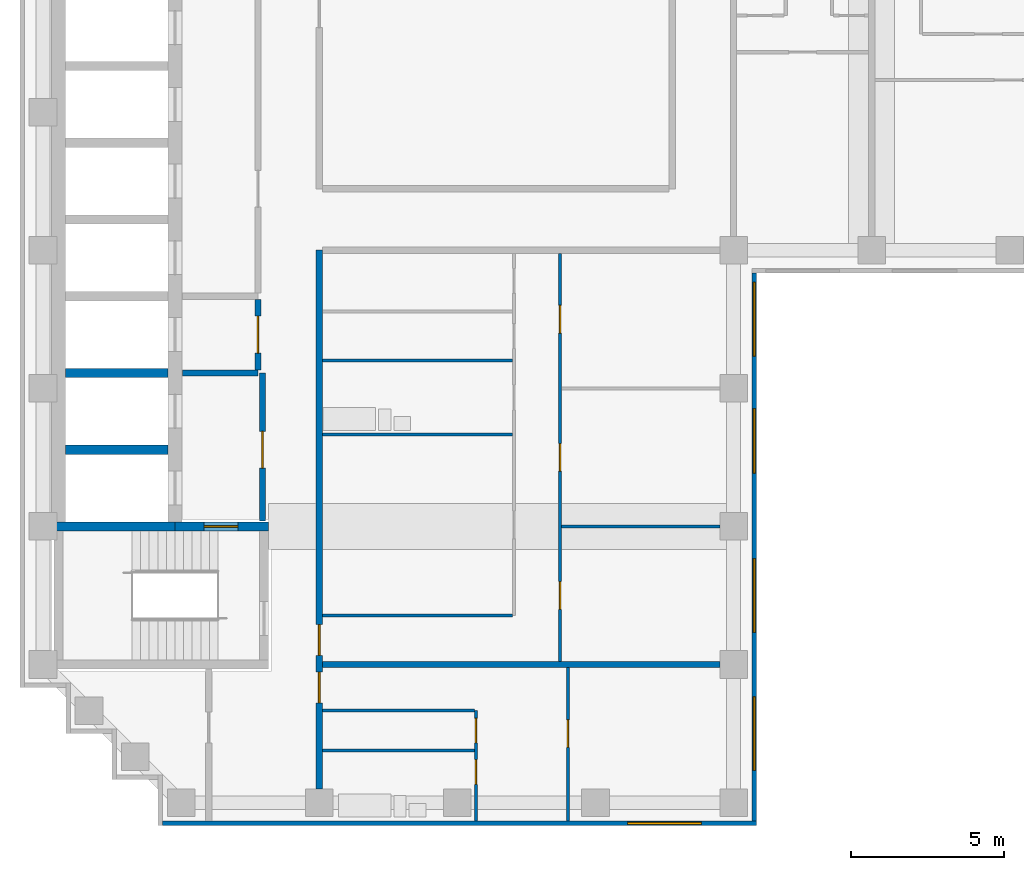
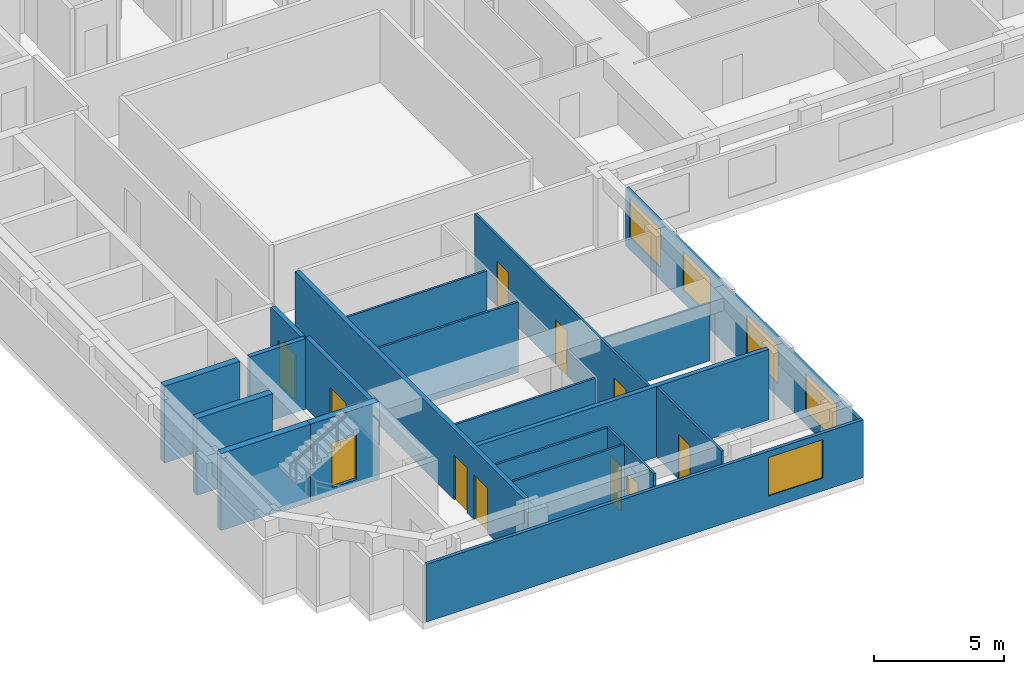
# One storey, part 2 of 9: 20 walls, 11 doors, 5 windows, 16 openings.
"""IFC4 building model written with IfcOpenShell, lengths in metres."""

import ifcopenshell
import ifcopenshell.guid

model = None  # the IFC model being written
_history = None  # IfcOwnerHistory: only IFC2X3 demands one
_inside = {}  # id of a spatial element -> (the spatial element, [elements in it])
_under = {}  # id of a project, library or spatial element -> (it, [spatial elements below it])
_declared = {}  # id of a project -> (the project, [libraries it declares])
_typed = {}  # id of a type object -> (the type object, [elements of that type])
_made_of = {}  # id of a material, layer set ... -> (it, [elements and type objects made of it])


def new_model(schema):
    """Start an empty IFC model of exactly this schema.

    Asked for "IFC4X3", IfcOpenShell would pick the latest addendum, in which some entities
    have other attributes; the version numbers below select the first issue.
    IFC2X3 requires an IfcOwnerHistory on every rooted entity: one is made here for all.
    """
    global model, _history
    if schema == "IFC4X3":
        model = ifcopenshell.file(schema_version=(4, 3, 0, 0))
    else:
        model = ifcopenshell.file(schema=schema)
    _inside.clear()
    _under.clear()
    _declared.clear()
    _typed.clear()
    _made_of.clear()
    _history = None
    if model.schema == "IFC2X3":
        org = make("IfcOrganization", Name="unknown")
        user = make(
            "IfcPersonAndOrganization",
            ThePerson=make("IfcPerson", FamilyName="unknown"),
            TheOrganization=org,
        )
        app = make(
            "IfcApplication",
            ApplicationDeveloper=org,
            Version="unknown",
            ApplicationFullName="unknown",
            ApplicationIdentifier="unknown",
        )
        _history = make(
            "IfcOwnerHistory",
            OwningUser=user,
            OwningApplication=app,
            ChangeAction="ADDED",
            CreationDate=0,
        )
    return model


def make(cls, **values):
    """One entity of the class cls with the attributes given. An attribute that is None is left unset."""
    return model.create_entity(
        cls, **{name: value for name, value in values.items() if value is not None}
    )


def rooted(cls, **values):
    """An entity with a GlobalId (a new one), such as an element, a storey or a relation."""
    return make(cls, GlobalId=ifcopenshell.guid.new(), OwnerHistory=_history, **values)


def si_unit(unit_type, name, prefix=None):
    """IfcSIUnit, for example si_unit("LENGTHUNIT", "METRE", prefix="MILLI")."""
    return make("IfcSIUnit", UnitType=unit_type, Prefix=prefix, Name=name)


def assignment(units):
    """IfcUnitAssignment: the units of a project."""
    return None if units is None else make("IfcUnitAssignment", Units=units)


def point(xyz):
    """IfcCartesianPoint."""
    return None if xyz is None else make("IfcCartesianPoint", Coordinates=xyz)


def direction(xyz):
    """IfcDirection."""
    return None if xyz is None else make("IfcDirection", DirectionRatios=xyz)


def frame(location, z_axis=None, x_axis=None):
    """IfcAxis2Placement3D, a coordinate frame: its origin and axes. An axis left out is left unset."""
    return make(
        "IfcAxis2Placement3D",
        Location=point(location),
        Axis=direction(z_axis),
        RefDirection=direction(x_axis),
    )


def frame_2d(location, x_axis=None):
    """IfcAxis2Placement2D, a coordinate frame in the plane: its origin and x axis."""
    return make(
        "IfcAxis2Placement2D", Location=point(location), RefDirection=direction(x_axis)
    )


def origin():
    """The frame at (0, 0, 0) with its axes left unset."""
    return frame((0.0, 0.0, 0.0))


def place(relative_to, where):
    """IfcLocalPlacement: puts the frame where relative to a parent placement (None: the world)."""
    return make(
        "IfcLocalPlacement", PlacementRelTo=relative_to, RelativePlacement=where
    )


def context(
    kind, dimensions, precision=None, world=None, true_north=None, identifier=None
):
    """IfcGeometricRepresentationContext, for example the 3D "Model" context."""
    return make(
        "IfcGeometricRepresentationContext",
        ContextIdentifier=identifier,
        ContextType=kind,
        CoordinateSpaceDimension=dimensions,
        Precision=precision,
        WorldCoordinateSystem=world,
        TrueNorth=true_north,
    )


def subcontext(parent, identifier, kind, view, scale=None):
    """IfcGeometricRepresentationSubContext, for example "Body" below "Model"."""
    return make(
        "IfcGeometricRepresentationSubContext",
        ContextIdentifier=identifier,
        ContextType=kind,
        ParentContext=parent,
        TargetScale=scale,
        TargetView=view,
    )


def project(units=None, contexts=None):
    """IfcProject with its units and contexts."""
    return rooted(
        "IfcProject",
        Name="project",
        RepresentationContexts=contexts,
        UnitsInContext=assignment(units),
    )


def spatial(cls, under=None, at=None, **own):
    """A site, building, storey or space (cls), placed at a placement, below another one or the project."""
    s = rooted(cls, ObjectPlacement=at, **own)
    if under is not None:
        _under.setdefault(under.id(), (under, []))[1].append(s)
    return s


def profile(cls, at=None, kind="AREA", **sizes):
    """A parametric profile (cls). Its sizes go by their IFC names, for example OverallWidth=200.0."""
    return make(cls, ProfileType=kind, Position=at, **sizes)


def rectangle(**sizes):
    """IfcRectangleProfileDef."""
    return profile("IfcRectangleProfileDef", **sizes)


def extrude(swept, where, along, depth):
    """IfcExtrudedAreaSolid: the profile swept, set in the frame where, extruded along a direction by depth."""
    return make(
        "IfcExtrudedAreaSolid",
        SweptArea=swept,
        Position=where,
        ExtrudedDirection=direction(along),
        Depth=depth,
    )


def shape(context_of_items, identifier, shape_type, items):
    """IfcShapeRepresentation: the items that make up one representation, for example the "Body"."""
    return make(
        "IfcShapeRepresentation",
        ContextOfItems=context_of_items,
        RepresentationIdentifier=identifier,
        RepresentationType=shape_type,
        Items=items,
    )


def material(Name=None, Category=None):
    """IfcMaterial."""
    return make("IfcMaterial", Name=Name, Category=Category)


def layer(
    of_material, thickness, ventilated=None, Name=None, Category=None, Priority=None
):
    """IfcMaterialLayer: one layer of a wall or slab, of a material (None: an air gap)."""
    return make(
        "IfcMaterialLayer",
        Material=of_material,
        LayerThickness=thickness,
        IsVentilated=ventilated,
        Name=Name,
        Category=Category,
        Priority=Priority,
    )


def layer_set(layers, Name=None):
    """IfcMaterialLayerSet."""
    return make("IfcMaterialLayerSet", MaterialLayers=layers, LayerSetName=Name)


def made_of(thing, what):
    """Note that an element or type object is made of a material, layer set ...; save() writes the relation."""
    if what is not None:
        _made_of.setdefault(what.id(), (what, []))[1].append(thing)
    return thing


def type_object(cls, material=None, **own):
    """A type object (cls), such as IfcWallType, which elements share."""
    return made_of(rooted(cls, **own), material)


def element(
    cls,
    number,
    at=None,
    inside=None,
    cuts=None,
    type_object=None,
    material=None,
    context=None,
    identifier="Body",
    shape_type=None,
    held_by="IfcProductDefinitionShape",
    body=None,
    shapes=None,
    **own,
):
    """One element of the class cls, such as IfcWall. Its Tag is "e" and its number.

    at: its placement. inside: the storey or other place that contains it. cuts: it is an
    opening in that element (IfcRelVoidsElement). A single representation is given by context,
    identifier, shape_type and body (its items); several are given by shapes. held_by: the class
    of the entity that holds the representations. save() writes the other relations.
    """
    e = rooted(cls, Tag="e%d" % number, ObjectPlacement=at, **own)
    if body is not None:
        shapes = [shape(context, identifier, shape_type, body)]
    if shapes is not None:
        e.Representation = make(held_by, Representations=shapes)
    if inside is not None:
        _inside.setdefault(inside.id(), (inside, []))[1].append(e)
    if cuts is not None:
        rooted(
            "IfcRelVoidsElement", RelatingBuildingElement=cuts, RelatedOpeningElement=e
        )
    if type_object is not None:
        _typed.setdefault(type_object.id(), (type_object, []))[1].append(e)
    return made_of(e, material)


def fill(opening, filler):
    """IfcRelFillsElement: the door or window that sits in an opening."""
    return rooted(
        "IfcRelFillsElement",
        RelatingOpeningElement=opening,
        RelatedBuildingElement=filler,
    )


def aggregate(whole, parts):
    """IfcRelAggregates: a whole, such as a stair, and the parts it consists of."""
    return rooted("IfcRelAggregates", RelatingObject=whole, RelatedObjects=parts)


def save(model, path):
    """Write the relations noted so far, then the file.

    IfcRelAggregates (storeys below a building ...), IfcRelContainedInSpatialStructure (elements
    in a storey), IfcRelDefinesByType, IfcRelAssociatesMaterial and IfcRelDeclares: one each for
    every whole, place, type object, material and project.
    """
    for whole, parts in _under.values():
        aggregate(whole, parts)
    for where, things in _inside.values():
        rooted(
            "IfcRelContainedInSpatialStructure",
            RelatedElements=things,
            RelatingStructure=where,
        )
    for kind, things in _typed.values():
        rooted("IfcRelDefinesByType", RelatedObjects=things, RelatingType=kind)
    for what, things in _made_of.values():
        rooted("IfcRelAssociatesMaterial", RelatedObjects=things, RelatingMaterial=what)
    for by, libraries in _declared.values():
        rooted("IfcRelDeclares", RelatingContext=by, RelatedDefinitions=libraries)
    model.write(path)


model = new_model("IFC4")

# Units and contexts
model_context = context("Model", 3, precision=1e-05, world=origin(), true_north=direction((0.0, 1.0)))
body_context = subcontext(model_context, "Body", "Model", "MODEL_VIEW")
ifc_project = project(units=[si_unit("LENGTHUNIT", "METRE"), si_unit("AREAUNIT", "SQUARE_METRE"), si_unit("VOLUMEUNIT", "CUBIC_METRE"), si_unit("PLANEANGLEUNIT", "RADIAN"), si_unit("MASSUNIT", "GRAM", prefix="KILO")], contexts=[model_context])

# Site, building, storey
site_placement = place(None, origin())
site = spatial("IfcSite", under=ifc_project, at=site_placement, CompositionType="ELEMENT")
building_placement = place(site_placement, origin())
building = spatial("IfcBuilding", under=site, at=building_placement, Name="Firuza Court", CompositionType="ELEMENT")
storey_placement = place(building_placement, frame((0.0, 0.0, 218.60009765625)))
storey = spatial("IfcBuildingStorey", under=building, at=storey_placement, Name="L56", CompositionType="ELEMENT", Elevation=218.60009765625)

# Walls
ifc_material_1 = material(Name="Moisture-resistant gypsum board partition")
ifc_layer_1 = layer(ifc_material_1, 0.10009765625)
ifc_layer_set_1 = layer_set([ifc_layer_1], Name="Moisture-resistant gypsum board partition")
wall_type_1 = type_object("IfcWallType", Name="Bathroom partition 100", PredefinedType="PLUMBINGWALL", material=ifc_layer_set_1)
wall_1_placement = place(storey_placement, frame((9.10009765625, 19.699951171875, 0.0), z_axis=(0.0, 0.0, 1.0), x_axis=(1.0, 0.0, 0.0)))
element("IfcWall", 1, at=wall_1_placement, inside=storey, type_object=wall_type_1, Name="Bathroom partition 100 L56", PredefinedType="PLUMBINGWALL", context=body_context, shape_type="SweptSolid", body=[
    extrude(rectangle(XDim=4.949951171875, YDim=0.10009765625, at=frame_2d((2.47509765625, 0.0))), origin(), (0.0, 0.0, 1.0), 3.2998046875),
])
for number, where, z_axis, x_axis, name in (
    (2, (9.10009765625, 30.0, 0.0), (0.0, 0.0, 1.0), (1.0, 0.0, 0.0), "Bathroom partition 100 L56"),
    (3, (9.10009765625, 32.39990234375, 0.0), (0.0, 0.0, 1.0), (1.0, 0.0, 0.0), "Bathroom partition 100 L56"),
):
    element("IfcWall", number, at=place(storey_placement, frame(where, z_axis=z_axis, x_axis=x_axis)), inside=storey, type_object=wall_type_1, Name=name, PredefinedType="PLUMBINGWALL", context=body_context, shape_type="SweptSolid", body=[
        extrude(rectangle(XDim=6.199951171875, YDim=0.10009765625, at=frame_2d((3.10009765625, 0.0))), origin(), (0.0, 0.0, 1.0), 3.2998046875),
    ])
ifc_material_2 = material(Name="Concrete C50/60", Category="concrete")
ifc_layer_2 = layer(ifc_material_2, 0.300048828125)
ifc_layer_set_2 = layer_set([ifc_layer_2], Name="Concrete C50/60")
wall_type_2 = type_object("IfcWallType", Name="Core wall 300 C50/60", PredefinedType="SHEAR", material=ifc_layer_set_2)
wall_2_placement = place(storey_placement, frame((0.35009765625, 27.0, -0.300048828125), z_axis=(0.0, 0.0, 1.0), x_axis=(1.0, 0.0, 0.0)))
element("IfcWall", 4, at=wall_2_placement, inside=storey, type_object=wall_type_2, Name="Core wall lift shaft L56", PredefinedType="SHEAR", context=body_context, shape_type="SweptSolid", body=[
    extrude(rectangle(XDim=3.949951171875, YDim=0.300048828125, at=frame_2d((1.97509765625, 0.0))), origin(), (0.0, 0.0, 1.0), 3.599853515625),
])
for number, where, z_axis, x_axis, name in (
    (5, (0.72509765625, 29.5, -0.300048828125), (0.0, 0.0, 1.0), (1.0, 0.0, 0.0), "Core wall lift shaft L56"),
    (6, (0.72509765625, 32.0, -0.300048828125), (0.0, 0.0, 1.0), (1.0, 0.0, 0.0), "Core wall lift shaft L56"),
):
    element("IfcWall", number, at=place(storey_placement, frame(where, z_axis=z_axis, x_axis=x_axis)), inside=storey, type_object=wall_type_2, Name=name, PredefinedType="SHEAR", context=body_context, shape_type="SweptSolid", body=[
        extrude(rectangle(XDim=3.349853515625, YDim=0.300048828125, at=frame_2d((1.6748046875, 0.0))), origin(), (0.0, 0.0, 1.0), 3.599853515625),
    ])

# Wall, opening, door
wall_3_placement = place(storey_placement, frame((4.300048828125, 27.0, -0.300048828125), z_axis=(0.0, 0.0, 1.0), x_axis=(1.0, 0.0, 0.0)))
wall_3 = element("IfcWall", 7, at=wall_3_placement, inside=storey, type_object=wall_type_2, Name="Core wall stair L56", PredefinedType="SHEAR", context=body_context, shape_type="SweptSolid", body=[
    extrude(rectangle(XDim=3.050048828125, YDim=0.300048828125, at=frame_2d((1.52490234375, 0.0))), origin(), (0.0, 0.0, 1.0), 3.599853515625),
])
opening_1_placement = place(wall_3_placement, frame((0.949951171875, 0.0, 0.300048828125)))
opening_1 = element("IfcOpeningElement", 8, at=opening_1_placement, cuts=wall_3, Name="Opening D56010", PredefinedType="OPENING", context=body_context, shape_type="SweptSolid", body=[
    extrude(rectangle(XDim=1.10009765625, YDim=2.10009765625, at=frame_2d((0.550048828125, 1.050048828125))), frame((0.0, 0.162109375, 0.0), z_axis=(0.0, -1.0, 0.0), x_axis=(1.0, 0.0, 0.0)), (0.0, 0.0, 1.0), 0.323974609375),
])
ifc_material_3 = material(Name="Timber door leaf in hardwood frame", Category="wood")
door_type_1 = type_object("IfcDoorType", Name="Stair door 1100", OperationType="SINGLE_SWING_LEFT", PredefinedType="DOOR", material=ifc_material_3)
door_1_placement = place(opening_1_placement, frame((1.10009765625, 0.0, 0.0), z_axis=(0.0, 0.0, 1.0), x_axis=(-1.0, 0.0, 0.0)))
door_1 = element("IfcDoor", 9, at=door_1_placement, inside=storey, type_object=door_type_1, Name="Fire-fighting lobby door", OperationType="SINGLE_SWING_LEFT", OverallHeight=2.10009765625, OverallWidth=1.10009765625, PredefinedType="DOOR", context=body_context, shape_type="SweptSolid", body=[
    extrude(rectangle(XDim=1.10009765625, YDim=2.10009765625, at=frame_2d((0.550048828125, 1.050048828125))), frame((0.0, 0.02490234375, 0.0), z_axis=(0.0, -1.0, 0.0), x_axis=(1.0, 0.0, 0.0)), (0.0, 0.0, 1.0), 0.050048828125),
])
fill(opening_1, door_1)

# Wall, openings, doors
ifc_material_4 = material(Name="Blockwork, plastered both sides", Category="masonry")
ifc_layer_3 = layer(ifc_material_4, 0.199951171875)
ifc_layer_set_3 = layer_set([ifc_layer_3], Name="Blockwork, plastered both sides")
wall_type_3 = type_object("IfcWallType", Name="Corridor wall 200", PredefinedType="PARTITIONING", material=ifc_layer_set_3)
wall_4_placement = place(storey_placement, frame((9.0, 18.449951171875, 0.0), z_axis=(0.0, 0.0, 1.0), x_axis=(0.0, 1.0, 0.0)))
wall_4 = element("IfcWall", 10, at=wall_4_placement, inside=storey, type_object=wall_type_3, Name="Corridor wall 200 L56", PredefinedType="PARTITIONING", context=body_context, shape_type="SweptSolid", body=[
    extrude(rectangle(XDim=17.550048828125, YDim=0.199951171875, at=frame_2d((8.77490234375, 0.0))), origin(), (0.0, 0.0, 1.0), 3.2998046875),
])
opening_2_placement = place(wall_4_placement, frame((4.35009765625, 0.0, 0.0)))
opening_2 = element("IfcOpeningElement", 11, at=opening_2_placement, cuts=wall_4, Name="Opening D56017", PredefinedType="OPENING", context=body_context, shape_type="SweptSolid", body=[
    extrude(rectangle(XDim=1.0, YDim=2.10009765625, at=frame_2d((0.5, 1.050048828125))), frame((0.0, 0.11181640625, 0.0), z_axis=(0.0, -1.0, 0.0), x_axis=(1.0, 0.0, 0.0)), (0.0, 0.0, 1.0), 0.223876953125),
])
opening_3_placement = place(wall_4_placement, frame((2.800048828125, 0.0, 0.0)))
opening_3 = element("IfcOpeningElement", 12, at=opening_3_placement, cuts=wall_4, Name="Opening D56018", PredefinedType="OPENING", context=body_context, shape_type="SweptSolid", body=[
    extrude(rectangle(XDim=1.0, YDim=2.10009765625, at=frame_2d((0.5, 1.050048828125))), frame((0.0, 0.11181640625, 0.0), z_axis=(0.0, -1.0, 0.0), x_axis=(1.0, 0.0, 0.0)), (0.0, 0.0, 1.0), 0.223876953125),
])
ifc_material_5 = material(Name="Timber door leaf in hardwood frame", Category="wood")
door_type_2 = type_object("IfcDoorType", Name="Flat entrance door 1000", OperationType="SINGLE_SWING_LEFT", PredefinedType="DOOR", material=ifc_material_5)
door_2_placement = place(opening_2_placement, origin())
door_2 = element("IfcDoor", 13, at=door_2_placement, inside=storey, type_object=door_type_2, Name="Flat entrance door", OperationType="SINGLE_SWING_LEFT", OverallHeight=2.10009765625, OverallWidth=1.0, PredefinedType="DOOR", context=body_context, shape_type="SweptSolid", body=[
    extrude(rectangle(XDim=1.0, YDim=2.10009765625, at=frame_2d((0.5, 1.050048828125))), frame((0.0, 0.02490234375, 0.0), z_axis=(0.0, -1.0, 0.0), x_axis=(1.0, 0.0, 0.0)), (0.0, 0.0, 1.0), 0.050048828125),
])
fill(opening_2, door_2)
door_3_placement = place(opening_3_placement, origin())
door_3 = element("IfcDoor", 14, at=door_3_placement, inside=storey, type_object=door_type_2, Name="Flat entrance door", OperationType="SINGLE_SWING_LEFT", OverallHeight=2.10009765625, OverallWidth=1.0, PredefinedType="DOOR", context=body_context, shape_type="SweptSolid", body=[
    extrude(rectangle(XDim=1.0, YDim=2.10009765625, at=frame_2d((0.5, 1.050048828125))), frame((0.0, 0.02490234375, 0.0), z_axis=(0.0, -1.0, 0.0), x_axis=(1.0, 0.0, 0.0)), (0.0, 0.0, 1.0), 0.050048828125),
])
fill(opening_3, door_3)

ifc_material_6 = material(Name="Timber stud partition, plasterboard both sides", Category="wood")
ifc_layer_4 = layer(ifc_material_6, 0.10009765625)
ifc_layer_set_4 = layer_set([ifc_layer_4], Name="Timber stud partition, plasterboard both sides")
wall_type_4 = type_object("IfcWallType", Name="Partition wall 100", PredefinedType="PARTITIONING", material=ifc_layer_set_4)
wall_5_placement = place(storey_placement, frame((14.10009765625, 17.39990234375, 0.0), z_axis=(0.0, 0.0, 1.0), x_axis=(0.0, 1.0, 0.0)))
wall_5 = element("IfcWall", 15, at=wall_5_placement, inside=storey, type_object=wall_type_4, Name="Partition wall 100 L56", PredefinedType="PARTITIONING", context=body_context, shape_type="SweptSolid", body=[
    extrude(rectangle(XDim=3.60009765625, YDim=0.10009765625, at=frame_2d((1.800048828125, 0.0))), origin(), (0.0, 0.0, 1.0), 3.2998046875),
])
opening_4_placement = place(wall_5_placement, frame((1.199951171875, 0.0, 0.0)))
opening_4 = element("IfcOpeningElement", 16, at=opening_4_placement, cuts=wall_5, Name="Opening D56014", PredefinedType="OPENING", context=body_context, shape_type="SweptSolid", body=[
    extrude(rectangle(XDim=0.800048828125, YDim=2.10009765625, at=frame_2d((0.39990234375, 1.050048828125))), frame((0.0, 0.06201171875, 0.0), z_axis=(0.0, -1.0, 0.0), x_axis=(1.0, 0.0, 0.0)), (0.0, 0.0, 1.0), 0.1240234375),
])
opening_5_placement = place(wall_5_placement, frame((2.550048828125, 0.0, 0.0)))
opening_5 = element("IfcOpeningElement", 17, at=opening_5_placement, cuts=wall_5, Name="Opening D56015", PredefinedType="OPENING", context=body_context, shape_type="SweptSolid", body=[
    extrude(rectangle(XDim=0.800048828125, YDim=2.10009765625, at=frame_2d((0.39990234375, 1.050048828125))), frame((0.0, 0.06201171875, 0.0), z_axis=(0.0, -1.0, 0.0), x_axis=(1.0, 0.0, 0.0)), (0.0, 0.0, 1.0), 0.1240234375),
])
ifc_material_7 = material(Name="Timber door leaf in hardwood frame", Category="wood")
door_type_3 = type_object("IfcDoorType", Name="Bathroom door 800", OperationType="SINGLE_SWING_LEFT", PredefinedType="DOOR", material=ifc_material_7)
door_4_placement = place(opening_4_placement, origin())
door_4 = element("IfcDoor", 18, at=door_4_placement, inside=storey, type_object=door_type_3, Name="Bathroom door", OperationType="SINGLE_SWING_RIGHT", OverallHeight=2.10009765625, OverallWidth=0.800048828125, PredefinedType="DOOR", context=body_context, shape_type="SweptSolid", body=[
    extrude(rectangle(XDim=0.800048828125, YDim=2.10009765625, at=frame_2d((0.39990234375, 1.050048828125))), frame((0.0, 0.02490234375, 0.0), z_axis=(0.0, -1.0, 0.0), x_axis=(1.0, 0.0, 0.0)), (0.0, 0.0, 1.0), 0.050048828125),
])
fill(opening_4, door_4)
ifc_material_8 = material(Name="Timber door leaf in hardwood frame", Category="wood")
door_type_4 = type_object("IfcDoorType", Name="Room door 800", OperationType="SINGLE_SWING_LEFT", PredefinedType="DOOR", material=ifc_material_8)
door_5_placement = place(opening_5_placement, origin())
door_5 = element("IfcDoor", 19, at=door_5_placement, inside=storey, type_object=door_type_4, Name="Kitchen door", OperationType="SINGLE_SWING_LEFT", OverallHeight=2.10009765625, OverallWidth=0.800048828125, PredefinedType="DOOR", context=body_context, shape_type="SweptSolid", body=[
    extrude(rectangle(XDim=0.800048828125, YDim=2.10009765625, at=frame_2d((0.39990234375, 1.050048828125))), frame((0.0, 0.02490234375, 0.0), z_axis=(0.0, -1.0, 0.0), x_axis=(1.0, 0.0, 0.0)), (0.0, 0.0, 1.0), 0.050048828125),
])
fill(opening_5, door_5)

# Wall, opening, door
wall_6_placement = place(storey_placement, frame((17.10009765625, 17.39990234375, 0.0), z_axis=(0.0, 0.0, 1.0), x_axis=(0.0, 1.0, 0.0)))
wall_6 = element("IfcWall", 20, at=wall_6_placement, inside=storey, type_object=wall_type_4, Name="Partition wall 100 L56", PredefinedType="PARTITIONING", context=body_context, shape_type="SweptSolid", body=[
    extrude(rectangle(XDim=5.0, YDim=0.10009765625, at=frame_2d((2.5, 0.0))), origin(), (0.0, 0.0, 1.0), 3.2998046875),
])
opening_6_placement = place(wall_6_placement, frame((2.39990234375, 0.0, 0.0)))
opening_6 = element("IfcOpeningElement", 21, at=opening_6_placement, cuts=wall_6, Name="Opening D56016", PredefinedType="OPENING", context=body_context, shape_type="SweptSolid", body=[
    extrude(rectangle(XDim=0.89990234375, YDim=2.10009765625, at=frame_2d((0.449951171875, 1.050048828125))), frame((0.0, 0.06201171875, 0.0), z_axis=(0.0, -1.0, 0.0), x_axis=(1.0, 0.0, 0.0)), (0.0, 0.0, 1.0), 0.1240234375),
])
ifc_material_9 = material(Name="Timber door leaf in hardwood frame", Category="wood")
door_type_5 = type_object("IfcDoorType", Name="Room door 900", OperationType="SINGLE_SWING_LEFT", PredefinedType="DOOR", material=ifc_material_9)
door_6_placement = place(opening_6_placement, frame((0.89990234375, 0.0, 0.0), z_axis=(0.0, 0.0, 1.0), x_axis=(-1.0, 0.0, 0.0)))
door_6 = element("IfcDoor", 22, at=door_6_placement, inside=storey, type_object=door_type_5, Name="Studio room door", OperationType="SINGLE_SWING_LEFT", OverallHeight=2.10009765625, OverallWidth=0.89990234375, PredefinedType="DOOR", context=body_context, shape_type="SweptSolid", body=[
    extrude(rectangle(XDim=0.89990234375, YDim=2.10009765625, at=frame_2d((0.449951171875, 1.050048828125))), frame((0.0, 0.02490234375, 0.0), z_axis=(0.0, -1.0, 0.0), x_axis=(1.0, 0.0, 0.0)), (0.0, 0.0, 1.0), 0.050048828125),
])
fill(opening_6, door_6)

# Wall
wall_7_placement = place(storey_placement, frame((9.10009765625, 21.0, 0.0), z_axis=(0.0, 0.0, 1.0), x_axis=(1.0, 0.0, 0.0)))
element("IfcWall", 23, at=wall_7_placement, inside=storey, type_object=wall_type_4, Name="Partition wall 100 L56", PredefinedType="PARTITIONING", context=body_context, shape_type="SweptSolid", body=[
    extrude(rectangle(XDim=4.949951171875, YDim=0.10009765625, at=frame_2d((2.47509765625, 0.0))), origin(), (0.0, 0.0, 1.0), 3.2998046875),
])

# Wall, openings, doors
wall_8_placement = place(storey_placement, frame((16.85009765625, 22.60009765625, 0.0), z_axis=(0.0, 0.0, 1.0), x_axis=(0.0, 1.0, 0.0)))
wall_8 = element("IfcWall", 24, at=wall_8_placement, inside=storey, type_object=wall_type_4, Name="Partition wall 100 L56", PredefinedType="PARTITIONING", context=body_context, shape_type="SweptSolid", body=[
    extrude(rectangle(XDim=13.2998046875, YDim=0.10009765625, at=frame_2d((6.64990234375, 0.0))), origin(), (0.0, 0.0, 1.0), 3.2998046875),
])
opening_7_placement = place(wall_8_placement, frame((1.699951171875, 0.0, 0.0)))
opening_7 = element("IfcOpeningElement", 25, at=opening_7_placement, cuts=wall_8, Name="Opening D56019", PredefinedType="OPENING", context=body_context, shape_type="SweptSolid", body=[
    extrude(rectangle(XDim=0.89990234375, YDim=2.10009765625, at=frame_2d((0.449951171875, 1.050048828125))), frame((0.0, 0.06201171875, 0.0), z_axis=(0.0, -1.0, 0.0), x_axis=(1.0, 0.0, 0.0)), (0.0, 0.0, 1.0), 0.1240234375),
])
opening_8_placement = place(wall_8_placement, frame((6.199951171875, 0.0, 0.0)))
opening_8 = element("IfcOpeningElement", 26, at=opening_8_placement, cuts=wall_8, Name="Opening D56020", PredefinedType="OPENING", context=body_context, shape_type="SweptSolid", body=[
    extrude(rectangle(XDim=0.89990234375, YDim=2.10009765625, at=frame_2d((0.449951171875, 1.050048828125))), frame((0.0, 0.06201171875, 0.0), z_axis=(0.0, -1.0, 0.0), x_axis=(1.0, 0.0, 0.0)), (0.0, 0.0, 1.0), 0.1240234375),
])
opening_9_placement = place(wall_8_placement, frame((10.699951171875, 0.0, 0.0)))
opening_9 = element("IfcOpeningElement", 27, at=opening_9_placement, cuts=wall_8, Name="Opening D56021", PredefinedType="OPENING", context=body_context, shape_type="SweptSolid", body=[
    extrude(rectangle(XDim=0.89990234375, YDim=2.10009765625, at=frame_2d((0.449951171875, 1.050048828125))), frame((0.0, 0.06201171875, 0.0), z_axis=(0.0, -1.0, 0.0), x_axis=(1.0, 0.0, 0.0)), (0.0, 0.0, 1.0), 0.1240234375),
])
door_7_placement = place(opening_7_placement, frame((0.89990234375, 0.0, 0.0), z_axis=(0.0, 0.0, 1.0), x_axis=(-1.0, 0.0, 0.0)))
door_7 = element("IfcDoor", 28, at=door_7_placement, inside=storey, type_object=door_type_5, Name="Living room door", OperationType="SINGLE_SWING_RIGHT", OverallHeight=2.10009765625, OverallWidth=0.89990234375, PredefinedType="DOOR", context=body_context, shape_type="SweptSolid", body=[
    extrude(rectangle(XDim=0.89990234375, YDim=2.10009765625, at=frame_2d((0.449951171875, 1.050048828125))), frame((0.0, 0.02490234375, 0.0), z_axis=(0.0, -1.0, 0.0), x_axis=(1.0, 0.0, 0.0)), (0.0, 0.0, 1.0), 0.050048828125),
])
fill(opening_7, door_7)
door_8_placement = place(opening_8_placement, frame((0.89990234375, 0.0, 0.0), z_axis=(0.0, 0.0, 1.0), x_axis=(-1.0, 0.0, 0.0)))
door_8 = element("IfcDoor", 29, at=door_8_placement, inside=storey, type_object=door_type_5, Name="Bedroom door", OperationType="SINGLE_SWING_RIGHT", OverallHeight=2.10009765625, OverallWidth=0.89990234375, PredefinedType="DOOR", context=body_context, shape_type="SweptSolid", body=[
    extrude(rectangle(XDim=0.89990234375, YDim=2.10009765625, at=frame_2d((0.449951171875, 1.050048828125))), frame((0.0, 0.02490234375, 0.0), z_axis=(0.0, -1.0, 0.0), x_axis=(1.0, 0.0, 0.0)), (0.0, 0.0, 1.0), 0.050048828125),
])
fill(opening_8, door_8)
door_9_placement = place(opening_9_placement, frame((0.89990234375, 0.0, 0.0), z_axis=(0.0, 0.0, 1.0), x_axis=(-1.0, 0.0, 0.0)))
door_9 = element("IfcDoor", 30, at=door_9_placement, inside=storey, type_object=door_type_5, Name="Bedroom door", OperationType="SINGLE_SWING_RIGHT", OverallHeight=2.10009765625, OverallWidth=0.89990234375, PredefinedType="DOOR", context=body_context, shape_type="SweptSolid", body=[
    extrude(rectangle(XDim=0.89990234375, YDim=2.10009765625, at=frame_2d((0.449951171875, 1.050048828125))), frame((0.0, 0.02490234375, 0.0), z_axis=(0.0, -1.0, 0.0), x_axis=(1.0, 0.0, 0.0)), (0.0, 0.0, 1.0), 0.050048828125),
])
fill(opening_9, door_9)

# Walls
wall_9_placement = place(storey_placement, frame((9.10009765625, 24.10009765625, 0.0), z_axis=(0.0, 0.0, 1.0), x_axis=(1.0, 0.0, 0.0)))
element("IfcWall", 31, at=wall_9_placement, inside=storey, type_object=wall_type_4, Name="Partition wall 100 L56", PredefinedType="PARTITIONING", context=body_context, shape_type="SweptSolid", body=[
    extrude(rectangle(XDim=6.199951171875, YDim=0.10009765625, at=frame_2d((3.10009765625, 0.0))), origin(), (0.0, 0.0, 1.0), 3.2998046875),
])
wall_10_placement = place(storey_placement, frame((16.89990234375, 27.0, 0.0), z_axis=(0.0, 0.0, 1.0), x_axis=(1.0, 0.0, 0.0)))
element("IfcWall", 32, at=wall_10_placement, inside=storey, type_object=wall_type_4, Name="Partition wall 100 L56", PredefinedType="PARTITIONING", context=body_context, shape_type="SweptSolid", body=[
    extrude(rectangle(XDim=5.150146484375, YDim=0.10009765625, at=frame_2d((2.5751953125, 0.0))), origin(), (0.0, 0.0, 1.0), 2.699951171875),
])
ifc_layer_5 = layer(ifc_material_4, 0.199951171875)
ifc_layer_set_5 = layer_set([ifc_layer_5], Name="Blockwork, plastered both sides")
wall_type_5 = type_object("IfcWallType", Name="Party wall 200", PredefinedType="PARTITIONING", material=ifc_layer_set_5)
wall_11_placement = place(storey_placement, frame((9.10009765625, 22.5, 0.0), z_axis=(0.0, 0.0, 1.0), x_axis=(1.0, 0.0, 0.0)))
element("IfcWall", 33, at=wall_11_placement, inside=storey, type_object=wall_type_5, Name="Party wall 200 L56", PredefinedType="PARTITIONING", context=body_context, shape_type="SweptSolid", body=[
    extrude(rectangle(XDim=12.949951171875, YDim=0.199951171875, at=frame_2d((6.47509765625, 0.0))), origin(), (0.0, 0.0, 1.0), 3.2998046875),
])

# Wall, opening, window
ifc_material_10 = material(Name="Ceramic tile", Category="ceramic")
ifc_layer_6 = layer(ifc_material_10, 0.02001953125)
ifc_material_11 = material(Name="Mineral wool insulation", Category="insulation")
ifc_layer_7 = layer(ifc_material_11, 0.050048828125)
ifc_material_12 = material(Name="Concrete C40/50 precast", Category="concrete")
ifc_layer_8 = layer(ifc_material_12, 0.080078125)
ifc_layer_set_6 = layer_set([ifc_layer_6, ifc_layer_7, ifc_layer_8], Name="Concrete C40/50 precast")
wall_type_6 = type_object("IfcWallType", Name="Precast cladding wall with turquoise TILE PANEL face 150", PredefinedType="STANDARD", material=ifc_layer_set_6)
wall_12_placement = place(storey_placement, frame((3.89990234375, 17.324951171875, 0.0), z_axis=(0.0, 0.0, 1.0), x_axis=(1.0, 0.0, 0.0)))
wall_12 = element("IfcWall", 34, at=wall_12_placement, inside=storey, type_object=wall_type_6, Name="Facade wall L56 S", PredefinedType="STANDARD", context=body_context, shape_type="SweptSolid", body=[
    extrude(rectangle(XDim=19.35009765625, YDim=0.14990234375, at=frame_2d((9.675048828125, 0.0))), origin(), (0.0, 0.0, 1.0), 2.699951171875),
])
opening_10_placement = place(wall_12_placement, frame((15.14990234375, 0.0, 0.60009765625)))
opening_10 = element("IfcOpeningElement", 35, at=opening_10_placement, cuts=wall_12, Name="Opening W1", PredefinedType="OPENING", context=body_context, shape_type="SweptSolid", body=[
    extrude(rectangle(XDim=2.39990234375, YDim=1.800048828125, at=frame_2d((1.199951171875, 0.89990234375))), frame((0.0, 0.0869140625, 0.0), z_axis=(0.0, -1.0, 0.0), x_axis=(1.0, 0.0, 0.0)), (0.0, 0.0, 1.0), 0.173828125),
])
ifc_material_13 = material(Name="Aluminium frame, triple clear glazing", Category="aluminium")
window_type_1 = type_object("IfcWindowType", Name="Window W1 2400 x 1800", PartitioningType="SINGLE_PANEL", PredefinedType="WINDOW", material=ifc_material_13)
window_1_placement = place(opening_10_placement, origin())
window_1 = element("IfcWindow", 36, at=window_1_placement, inside=storey, type_object=window_type_1, Name="Window L56", OverallHeight=1.800048828125, OverallWidth=2.39990234375, PartitioningType="SINGLE_PANEL", PredefinedType="WINDOW", context=body_context, shape_type="SweptSolid", body=[
    extrude(rectangle(XDim=2.39990234375, YDim=1.800048828125, at=frame_2d((1.199951171875, 0.89990234375))), frame((0.0, 0.030029296875, 0.0), z_axis=(0.0, -1.0, 0.0), x_axis=(1.0, 0.0, 0.0)), (0.0, 0.0, 1.0), 0.06005859375),
])
fill(opening_10, window_1)

# Wall, openings, windows
wall_13_placement = place(storey_placement, frame((23.175048828125, 17.39990234375, 0.0), z_axis=(0.0, 0.0, 1.0), x_axis=(0.0, 1.0, 0.0)))
wall_13 = element("IfcWall", 37, at=wall_13_placement, inside=storey, type_object=wall_type_6, Name="Facade wall L56 E", PredefinedType="STANDARD", context=body_context, shape_type="SweptSolid", body=[
    extrude(rectangle(XDim=17.85009765625, YDim=0.14990234375, at=frame_2d((8.925048828125, 0.0))), origin(), (0.0, 0.0, 1.0), 2.699951171875),
])
opening_11_placement = place(wall_13_placement, frame((1.64990234375, 0.0, 0.60009765625)))
opening_11 = element("IfcOpeningElement", 38, at=opening_11_placement, cuts=wall_13, Name="Opening W1", PredefinedType="OPENING", context=body_context, shape_type="SweptSolid", body=[
    extrude(rectangle(XDim=2.39990234375, YDim=1.800048828125, at=frame_2d((1.199951171875, 0.89990234375))), frame((0.0, 0.0869140625, 0.0), z_axis=(0.0, -1.0, 0.0), x_axis=(1.0, 0.0, 0.0)), (0.0, 0.0, 1.0), 0.173828125),
])
opening_12_placement = place(wall_13_placement, frame((6.14990234375, 0.0, 0.60009765625)))
opening_12 = element("IfcOpeningElement", 39, at=opening_12_placement, cuts=wall_13, Name="Opening W1", PredefinedType="OPENING", context=body_context, shape_type="SweptSolid", body=[
    extrude(rectangle(XDim=2.39990234375, YDim=1.800048828125, at=frame_2d((1.199951171875, 0.89990234375))), frame((0.0, 0.0869140625, 0.0), z_axis=(0.0, -1.0, 0.0), x_axis=(1.0, 0.0, 0.0)), (0.0, 0.0, 1.0), 0.173828125),
])
opening_13_placement = place(wall_13_placement, frame((11.336669921875, 0.0, 0.60009765625)))
opening_13 = element("IfcOpeningElement", 40, at=opening_13_placement, cuts=wall_13, Name="Opening W6", PredefinedType="OPENING", context=body_context, shape_type="SweptSolid", body=[
    extrude(rectangle(XDim=2.10009765625, YDim=1.800048828125, at=frame_2d((1.050048828125, 0.89990234375))), frame((0.0, 0.0869140625, 0.0), z_axis=(0.0, -1.0, 0.0), x_axis=(1.0, 0.0, 0.0)), (0.0, 0.0, 1.0), 0.173828125),
])
opening_14_placement = place(wall_13_placement, frame((15.14990234375, 0.0, 0.60009765625)))
opening_14 = element("IfcOpeningElement", 41, at=opening_14_placement, cuts=wall_13, Name="Opening W1", PredefinedType="OPENING", context=body_context, shape_type="SweptSolid", body=[
    extrude(rectangle(XDim=2.39990234375, YDim=1.800048828125, at=frame_2d((1.199951171875, 0.89990234375))), frame((0.0, 0.0869140625, 0.0), z_axis=(0.0, -1.0, 0.0), x_axis=(1.0, 0.0, 0.0)), (0.0, 0.0, 1.0), 0.173828125),
])
window_2_placement = place(opening_11_placement, origin())
window_2 = element("IfcWindow", 42, at=window_2_placement, inside=storey, type_object=window_type_1, Name="Window L56", OverallHeight=1.800048828125, OverallWidth=2.39990234375, PartitioningType="SINGLE_PANEL", PredefinedType="WINDOW", context=body_context, shape_type="SweptSolid", body=[
    extrude(rectangle(XDim=2.39990234375, YDim=1.800048828125, at=frame_2d((1.199951171875, 0.89990234375))), frame((0.0, 0.030029296875, 0.0), z_axis=(0.0, -1.0, 0.0), x_axis=(1.0, 0.0, 0.0)), (0.0, 0.0, 1.0), 0.06005859375),
])
fill(opening_11, window_2)
window_3_placement = place(opening_12_placement, origin())
window_3 = element("IfcWindow", 43, at=window_3_placement, inside=storey, type_object=window_type_1, Name="Window L56", OverallHeight=1.800048828125, OverallWidth=2.39990234375, PartitioningType="SINGLE_PANEL", PredefinedType="WINDOW", context=body_context, shape_type="SweptSolid", body=[
    extrude(rectangle(XDim=2.39990234375, YDim=1.800048828125, at=frame_2d((1.199951171875, 0.89990234375))), frame((0.0, 0.030029296875, 0.0), z_axis=(0.0, -1.0, 0.0), x_axis=(1.0, 0.0, 0.0)), (0.0, 0.0, 1.0), 0.06005859375),
])
fill(opening_12, window_3)
window_4_placement = place(opening_14_placement, origin())
window_4 = element("IfcWindow", 44, at=window_4_placement, inside=storey, type_object=window_type_1, Name="Window L56", OverallHeight=1.800048828125, OverallWidth=2.39990234375, PartitioningType="SINGLE_PANEL", PredefinedType="WINDOW", context=body_context, shape_type="SweptSolid", body=[
    extrude(rectangle(XDim=2.39990234375, YDim=1.800048828125, at=frame_2d((1.199951171875, 0.89990234375))), frame((0.0, 0.030029296875, 0.0), z_axis=(0.0, -1.0, 0.0), x_axis=(1.0, 0.0, 0.0)), (0.0, 0.0, 1.0), 0.06005859375),
])
fill(opening_14, window_4)
ifc_material_14 = material(Name="Aluminium frame, triple clear glazing", Category="aluminium")
window_type_2 = type_object("IfcWindowType", Name="Window W6 2100 x 1800", PartitioningType="SINGLE_PANEL", PredefinedType="WINDOW", material=ifc_material_14)
window_5_placement = place(opening_13_placement, origin())
window_5 = element("IfcWindow", 45, at=window_5_placement, inside=storey, type_object=window_type_2, Name="Window L56", OverallHeight=1.800048828125, OverallWidth=2.10009765625, PartitioningType="SINGLE_PANEL", PredefinedType="WINDOW", context=body_context, shape_type="SweptSolid", body=[
    extrude(rectangle(XDim=2.10009765625, YDim=1.800048828125, at=frame_2d((1.050048828125, 0.89990234375))), frame((0.0, 0.030029296875, 0.0), z_axis=(0.0, -1.0, 0.0), x_axis=(1.0, 0.0, 0.0)), (0.0, 0.0, 1.0), 0.06005859375),
])
fill(opening_13, window_5)

# Wall
ifc_material_15 = material(Name="Blockwork, fire-rated", Category="masonry")
ifc_layer_9 = layer(ifc_material_15, 0.199951171875)
ifc_layer_set_7 = layer_set([ifc_layer_9], Name="Blockwork, fire-rated")
wall_type_7 = type_object("IfcWallType", Name="Shaft wall 200", PredefinedType="PARTITIONING", material=ifc_layer_set_7)
wall_14_placement = place(storey_placement, frame((4.544921875, 32.0, 0.0), z_axis=(0.0, 0.0, 1.0), x_axis=(1.0, 0.0, 0.0)))
element("IfcWall", 46, at=wall_14_placement, inside=storey, type_object=wall_type_7, Name="Shaft wall 200 L56", PredefinedType="PARTITIONING", context=body_context, shape_type="SweptSolid", body=[
    extrude(rectangle(XDim=2.455078125, YDim=0.199951171875, at=frame_2d((1.2275390625, 0.0))), origin(), (0.0, 0.0, 1.0), 3.2998046875),
])

# Wall, opening, door
wall_15_placement = place(storey_placement, frame((7.0, 32.10009765625, 0.0), z_axis=(0.0, 0.0, 1.0), x_axis=(0.0, 1.0, 0.0)))
wall_15 = element("IfcWall", 47, at=wall_15_placement, inside=storey, type_object=wall_type_7, Name="Shaft wall 200 L56", PredefinedType="PARTITIONING", context=body_context, shape_type="SweptSolid", body=[
    extrude(rectangle(XDim=2.2998046875, YDim=0.199951171875, at=frame_2d((1.14990234375, 0.0))), origin(), (0.0, 0.0, 1.0), 3.2998046875),
])
opening_15_placement = place(wall_15_placement, frame((0.550048828125, 0.0, 0.0)))
opening_15 = element("IfcOpeningElement", 48, at=opening_15_placement, cuts=wall_15, Name="Opening D56007", PredefinedType="OPENING", context=body_context, shape_type="SweptSolid", body=[
    extrude(rectangle(XDim=1.199951171875, YDim=2.10009765625, at=frame_2d((0.60009765625, 1.050048828125))), frame((0.0, 0.11181640625, 0.0), z_axis=(0.0, -1.0, 0.0), x_axis=(1.0, 0.0, 0.0)), (0.0, 0.0, 1.0), 0.223876953125),
])
ifc_material_16 = material(Name="Timber door leaf in hardwood frame", Category="wood")
door_type_6 = type_object("IfcDoorType", Name="Lobby door 1200", OperationType="SINGLE_SWING_LEFT", PredefinedType="DOOR", material=ifc_material_16)
door_10_placement = place(opening_15_placement, origin())
door_10 = element("IfcDoor", 49, at=door_10_placement, inside=storey, type_object=door_type_6, Name="Lobby door", OperationType="SINGLE_SWING_LEFT", OverallHeight=2.10009765625, OverallWidth=1.199951171875, PredefinedType="DOOR", context=body_context, shape_type="SweptSolid", body=[
    extrude(rectangle(XDim=1.199951171875, YDim=2.10009765625, at=frame_2d((0.60009765625, 1.050048828125))), frame((0.0, 0.02490234375, 0.0), z_axis=(0.0, -1.0, 0.0), x_axis=(1.0, 0.0, 0.0)), (0.0, 0.0, 1.0), 0.050048828125),
])
fill(opening_15, door_10)

wall_16_placement = place(storey_placement, frame((7.14990234375, 27.169921875, 0.0), z_axis=(0.0, 0.0, 1.0), x_axis=(0.0, 1.0, 0.0)))
wall_16 = element("IfcWall", 50, at=wall_16_placement, inside=storey, type_object=wall_type_7, Name="Shaft wall 200 L56", PredefinedType="PARTITIONING", context=body_context, shape_type="SweptSolid", body=[
    extrude(rectangle(XDim=4.830078125, YDim=0.199951171875, at=frame_2d((2.4150390625, 0.0))), origin(), (0.0, 0.0, 1.0), 3.2998046875),
])
opening_16_placement = place(wall_16_placement, frame((1.72998046875, 0.0, 0.0)))
opening_16 = element("IfcOpeningElement", 51, at=opening_16_placement, cuts=wall_16, Name="Opening D56002", PredefinedType="OPENING", context=body_context, shape_type="SweptSolid", body=[
    extrude(rectangle(XDim=1.199951171875, YDim=2.10009765625, at=frame_2d((0.60009765625, 1.050048828125))), frame((0.0, 0.11181640625, 0.0), z_axis=(0.0, -1.0, 0.0), x_axis=(1.0, 0.0, 0.0)), (0.0, 0.0, 1.0), 0.223876953125),
])
door_11_placement = place(opening_16_placement, origin())
door_11 = element("IfcDoor", 52, at=door_11_placement, inside=storey, type_object=door_type_6, Name="Fire-fighting lobby door", OperationType="SINGLE_SWING_LEFT", OverallHeight=2.10009765625, OverallWidth=1.199951171875, PredefinedType="DOOR", context=body_context, shape_type="SweptSolid", body=[
    extrude(rectangle(XDim=1.199951171875, YDim=2.10009765625, at=frame_2d((0.60009765625, 1.050048828125))), frame((0.0, 0.02490234375, 0.0), z_axis=(0.0, -1.0, 0.0), x_axis=(1.0, 0.0, 0.0)), (0.0, 0.0, 1.0), 0.050048828125),
])
fill(opening_16, door_11)

save(model, "model.ifc")
